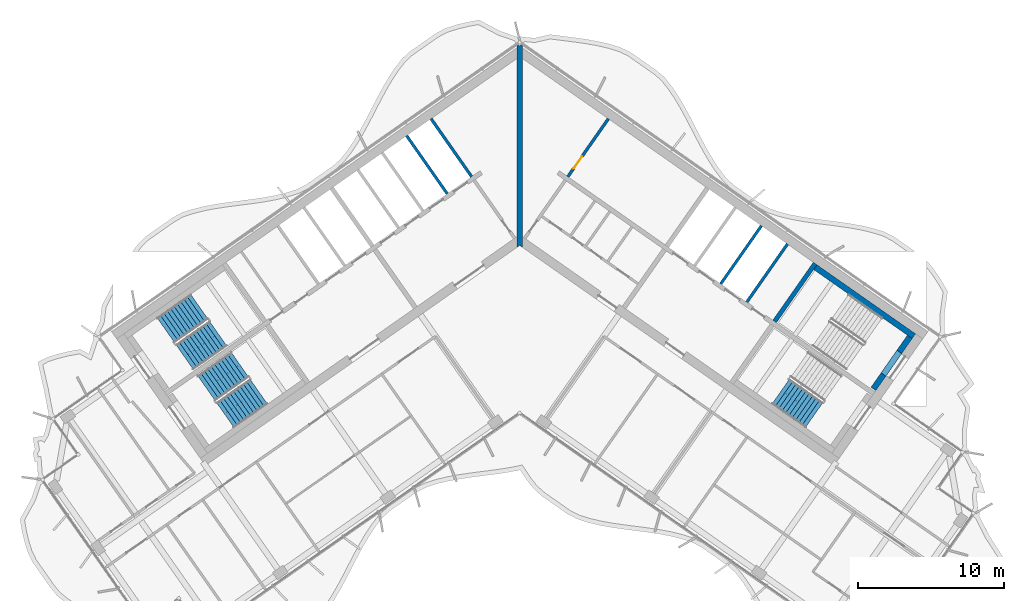
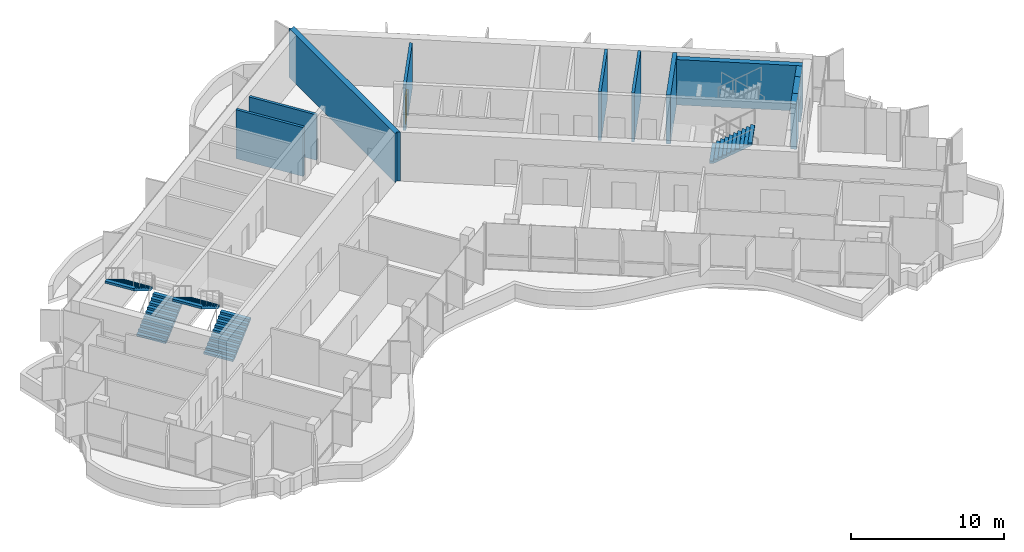
# One storey, part 12 of 18: 11 walls, 5 stair flights, 1 door, 1 opening, 3 elements without a shape of their own.
"""IFC4 building model written with IfcOpenShell, lengths in metres."""

from ifc_helpers import new_model, si_unit, direction, frame, frame_2d, origin, place, context, subcontext, project, spatial, polyline, rectangle, outline, extrude, material, layer, layer_set, type_object, element, fill, aggregate, save


model = new_model("IFC4")

# Units and contexts
model_context = context("Model", 3, precision=1e-05, world=origin(), true_north=direction((0.0, 1.0)))
body_context = subcontext(model_context, "Body", "Model", "MODEL_VIEW")
ifc_project = project(units=[si_unit("LENGTHUNIT", "METRE"), si_unit("AREAUNIT", "SQUARE_METRE"), si_unit("VOLUMEUNIT", "CUBIC_METRE"), si_unit("PLANEANGLEUNIT", "RADIAN"), si_unit("MASSUNIT", "GRAM", prefix="KILO")], contexts=[model_context])

# Site, building, storey
site_placement = place(None, origin())
site = spatial("IfcSite", under=ifc_project, at=site_placement, CompositionType="ELEMENT")
building_placement = place(site_placement, origin())
building = spatial("IfcBuilding", under=site, at=building_placement, Name="Tel Ilan Convention Tower", CompositionType="ELEMENT")
storey_placement = place(building_placement, frame((0.0, 0.0, 264.39990234375)))
storey = spatial("IfcBuildingStorey", under=building, at=storey_placement, Name="L62", CompositionType="ELEMENT", Elevation=264.39990234375)

# Wall
ifc_material_1 = material(Name="Concrete C30/37", Category="concrete")
ifc_layer_1 = layer(ifc_material_1, 0.199951171875)
ifc_layer_set_1 = layer_set([ifc_layer_1], Name="Core Service Room Wall 200 mm C30/37")
wall_type_1 = type_object("IfcWallType", Name="Core Service Room Wall 200 mm C30/37", PredefinedType="SOLIDWALL", material=ifc_layer_set_1)
wall_1_placement = place(storey_placement, frame((-3.2978515625, 3.489501953125, 0.0), z_axis=(0.0, 0.0, 1.0), x_axis=(-0.573560315113, 0.819163332265, 0.0)))
element("IfcWall", 1, at=wall_1_placement, inside=storey, type_object=wall_type_1, Name="L62 core wall apex-W-b", PredefinedType="SOLIDWALL", context=body_context, shape_type="SweptSolid", body=[
    extrude(rectangle(XDim=4.849853515625, YDim=0.199951171875, at=frame_2d((2.4248046875, 0.0))), origin(), (0.0, 0.0, 1.0), 3.6201171875),
])

# Wall, opening, door
wall_2_placement = place(storey_placement, frame((3.2978515625, 3.489501953125, 0.0), z_axis=(0.0, 0.0, 1.0), x_axis=(0.573560315113, 0.819163332265, 0.0)))
wall_2 = element("IfcWall", 2, at=wall_2_placement, inside=storey, type_object=wall_type_1, Name="L62 core wall apex-E-b", PredefinedType="SOLIDWALL", context=body_context, shape_type="SweptSolid", body=[
    extrude(rectangle(XDim=4.849853515625, YDim=0.199951171875, at=frame_2d((2.4248046875, 0.0))), origin(), (0.0, 0.0, 1.0), 3.6201171875),
])
opening_placement = place(wall_2_placement, frame((0.699951171875, 0.0, 0.0)))
opening = element("IfcOpeningElement", 3, at=opening_placement, cuts=wall_2, Name="Opening CD4703", PredefinedType="OPENING", context=body_context, shape_type="SweptSolid", body=[
    extrude(rectangle(XDim=1.0, YDim=2.10009765625, at=frame_2d((0.5, 1.050048828125))), frame((0.0, 0.10986328125, 0.0), z_axis=(0.0, -1.0, 0.0), x_axis=(1.0, 0.0, 0.0)), (0.0, 0.0, 1.0), 0.219970703125),
])
ifc_material_2 = material(Name="Galvanised Steel Door Leaf", Category="steel")
door_type = type_object("IfcDoorType", Name="Service Room Door 1000 x 2100 FD60", OperationType="NOTDEFINED", PredefinedType="DOOR", material=ifc_material_2)
door_placement = place(opening_placement, origin())
door = element("IfcDoor", 4, at=door_placement, inside=storey, type_object=door_type, Name="Plant Room door", OperationType="SINGLE_SWING_RIGHT", OverallHeight=2.10009765625, OverallWidth=1.0, PredefinedType="DOOR", context=body_context, shape_type="SweptSolid", body=[
    extrude(rectangle(XDim=1.0, YDim=2.10009765625, at=frame_2d((0.5, 1.050048828125))), frame((0.0, 0.02490234375, 0.0), z_axis=(0.0, -1.0, 0.0), x_axis=(1.0, 0.0, 0.0)), (0.0, 0.0, 1.0), 0.050048828125),
])
fill(opening, door)

# Walls
ifc_material_3 = material(Name="Concrete C40/50", Category="concrete")
ifc_layer_2 = layer(ifc_material_3, 0.300048828125)
ifc_layer_set_2 = layer_set([ifc_layer_2], Name="Core Shear Wall 300 mm C40/50")
wall_type_2 = type_object("IfcWallType", Name="Core Shear Wall 300 mm C40/50", PredefinedType="SHEAR", material=ifc_layer_set_2)
wall_3_placement = place(storey_placement, frame((17.46923828125, -6.433349609375, 0.0), z_axis=(0.0, 0.0, 1.0), x_axis=(0.573594092424, 0.81913968109, 0.0)))
element("IfcWall", 5, at=wall_3_placement, inside=storey, type_object=wall_type_2, Name="L62 core wall E-cross2-2", PredefinedType="SHEAR", context=body_context, shape_type="SweptSolid", body=[
    extrude(outline(polyline([(4.849853515625, -0.14990234375), (4.849853515625, 0.150146484375), (0.0, 0.14990234375), (0.0, -0.14990234375), (4.849853515625, -0.14990234375)])), origin(), (0.0, 0.0, 1.0), 3.900146484375),
])
ifc_material_4 = material(Name="Concrete C40/50", Category="concrete")
ifc_layer_3 = layer(ifc_material_4, 0.39990234375)
ifc_layer_set_3 = layer_set([ifc_layer_3], Name="Core Shear Wall 400 mm C40/50")
wall_type_3 = type_object("IfcWallType", Name="Core Shear Wall 400 mm C40/50", PredefinedType="SHEAR", material=ifc_layer_set_3)
wall_4_placement = place(storey_placement, frame((0.0, -1.36083984375, 0.0), z_axis=(0.0, 0.0, 1.0), x_axis=(0.0, 1.0, 0.0)))
element("IfcWall", 6, at=wall_4_placement, inside=storey, type_object=wall_type_3, Name="L62 core wall K-central", PredefinedType="SHEAR", context=body_context, shape_type="SweptSolid", body=[
    extrude(outline(polyline([(0.14013671875, 0.199951171875), (0.0, 0.199951171875), (0.14013671875, 0.0), (0.0, -0.199951171875), (0.14013671875, -0.199951171875), (1.012451171875, -0.199951171875), (12.940185546875, -0.199951171875), (13.812744140625, -0.199951171875), (13.893310546875, -0.199951171875), (13.933349609375, -0.172119140625), (13.812744140625, 0.0), (13.933349609375, 0.172119140625), (13.893310546875, 0.199951171875), (13.812744140625, 0.199951171875), (12.940185546875, 0.199951171875), (1.012451171875, 0.199951171875), (0.14013671875, 0.199951171875)])), origin(), (0.0, 0.0, 1.0), 3.900146484375),
])
ifc_material_5 = material(Name="Concrete C30/37", Category="concrete")
ifc_layer_4 = layer(ifc_material_5, 0.199951171875)
ifc_layer_set_4 = layer_set([ifc_layer_4], Name="Lift Shaft Wall 200 mm C30/37")
wall_type_4 = type_object("IfcWallType", Name="Lift Shaft Wall 200 mm C30/37", PredefinedType="SOLIDWALL", material=ifc_layer_set_4)
for number, where, z_axis, x_axis, name in (
    (7, (-4.966796875, 2.32080078125, 0.0), (0.0, 0.0, 1.0), (-0.573594092424, 0.81913968109, 0.0), "L62 core wall bank-W1-p0"),
    (8, (13.782958984375, -3.852294921875, 0.0), (0.0, 0.0, 1.0), (0.573594092424, 0.81913968109, 0.0), "L62 core wall bank-E2-p1"),
):
    element("IfcWall", number, at=place(storey_placement, frame(where, z_axis=z_axis, x_axis=x_axis)), inside=storey, type_object=wall_type_4, Name=name, PredefinedType="SOLIDWALL", context=body_context, shape_type="SweptSolid", body=[
        extrude(rectangle(XDim=4.85009765625, YDim=0.199951171875, at=frame_2d((2.425048828125, 0.0))), origin(), (0.0, 0.0, 1.0), 3.900146484375),
    ])
wall_5_placement = place(storey_placement, frame((15.564697265625, -5.099853515625, 0.0), z_axis=(0.0, 0.0, 1.0), x_axis=(0.573560315113, 0.819163332265, 0.0)))
element("IfcWall", 9, at=wall_5_placement, inside=storey, type_object=wall_type_4, Name="L62 core wall bank-E2-p2", PredefinedType="SOLIDWALL", context=body_context, shape_type="SweptSolid", body=[
    extrude(rectangle(XDim=4.849853515625, YDim=0.199951171875, at=frame_2d((2.4248046875, 0.0))), origin(), (0.0, 0.0, 1.0), 3.900146484375),
])
ifc_material_6 = material(Name="Concrete C30/37", Category="concrete")
ifc_layer_5 = layer(ifc_material_6, 0.39990234375)
ifc_layer_set_5 = layer_set([ifc_layer_5], Name="Stair and Shaft Lining Wall 400 mm C30/37")
wall_type_5 = type_object("IfcWallType", Name="Stair and Shaft Lining Wall 400 mm C30/37", PredefinedType="SOLIDWALL", material=ifc_layer_set_5)
wall_6_placement = place(storey_placement, frame((20.25927734375, -2.71044921875, 0.0), z_axis=(0.0, 0.0, 1.0), x_axis=(0.81914849389, -0.573581506813, 0.0)))
element("IfcWall", 10, at=wall_6_placement, inside=storey, type_object=wall_type_5, Name="L62 core wall lining-S3-t1", PredefinedType="SOLIDWALL", context=body_context, shape_type="SweptSolid", body=[
    extrude(rectangle(XDim=8.249755859375, YDim=0.39990234375, at=frame_2d((4.125, 0.0))), origin(), (0.0, 0.0, 1.0), 3.6201171875),
])
wall_7_placement = place(storey_placement, frame((24.24365234375, -11.0546875, 0.0), z_axis=(0.0, 0.0, 1.0), x_axis=(0.573571582932, 0.819155442668, 0.0)))
element("IfcWall", 11, at=wall_7_placement, inside=storey, type_object=wall_type_5, Name="L62 core wall lining-S3-u1-0", PredefinedType="SOLIDWALL", context=body_context, shape_type="SweptSolid", body=[
    extrude(rectangle(XDim=1.199951171875, YDim=0.39990234375, at=frame_2d((0.60009765625, 0.0))), origin(), (0.0, 0.0, 1.0), 3.6201171875),
])
wall_8_placement = place(storey_placement, frame((26.021728515625, -8.515380859375, 0.0), z_axis=(0.0, 0.0, 1.0), x_axis=(0.573619628835, 0.819121798889, 0.0)))
element("IfcWall", 12, at=wall_8_placement, inside=storey, type_object=wall_type_5, Name="L62 core wall lining-S3-u1-1", PredefinedType="SOLIDWALL", context=body_context, shape_type="SweptSolid", body=[
    extrude(rectangle(XDim=1.25, YDim=0.39990234375, at=frame_2d((0.625, 0.0))), origin(), (0.0, 0.0, 1.0), 3.6201171875),
])
wall_9_placement = place(storey_placement, frame((24.931884765625, -10.07177734375, 2.150146484375), z_axis=(0.0, 0.0, 1.0), x_axis=(0.573591692345, 0.819141361715, 0.0)))
element("IfcWall", 13, at=wall_9_placement, inside=storey, type_object=wall_type_5, Name="L62 core wall lining-S3-u1-lintel", PredefinedType="SOLIDWALL", context=body_context, shape_type="SweptSolid", body=[
    extrude(rectangle(XDim=1.900146484375, YDim=0.39990234375, at=frame_2d((0.9501953125, 0.0))), origin(), (0.0, 0.0, 1.0), 1.469970703125),
])

# Stair, stair flights
ifc_material_7 = material(Name="Concrete C40/50", Category="concrete")
stair_type = type_object("IfcStairType", Name="Pressurised Exit Stair 22 risers 177 mm", PredefinedType="HALF_TURN_STAIR", material=ifc_material_7)
stair_1_placement = place(storey_placement, origin())
stair_1 = element("IfcStair", 14, at=stair_1_placement, inside=storey, type_object=stair_type, Name="L62 Pressurised Stair S1", PredefinedType="HALF_TURN_STAIR")
ifc_material_8 = material(Name="Precast Concrete C40/50", Category="concrete")
stair_flight_type = type_object("IfcStairFlightType", Name="Concrete Stair Flight 2100 mm 22 risers 177 mm", PredefinedType="STRAIGHT", material=ifc_material_8)
stair_flight_1_placement = place(storey_placement, frame((-22.9619140625, -8.87548828125, 0.0), z_axis=(0.0, 0.0, 1.0), x_axis=(0.819152044289, 0.573576436351, 0.0)))
stair_flight_1 = element("IfcStairFlight", 15, at=stair_flight_1_placement, type_object=stair_flight_type, Name="S1 flight 1", NumberOfRisers=11, NumberOfTreads=10, PredefinedType="STRAIGHT", RiserHeight=0.177272727, TreadLength=0.28, context=body_context, shape_type="SweptSolid", body=[
    extrude(outline(polyline([(0.0, 0.0), (0.0, 0.17724609375), (0.280029296875, 0.17724609375), (0.280029296875, 0.3544921875), (0.56005859375, 0.3544921875), (0.56005859375, 0.53173828125), (0.840087890625, 0.53173828125), (0.840087890625, 0.708984375), (1.1201171875, 0.708984375), (1.1201171875, 0.886474609375), (1.39990234375, 0.886474609375), (1.39990234375, 1.063720703125), (1.679931640625, 1.063720703125), (1.679931640625, 1.240966796875), (1.9599609375, 1.240966796875), (1.9599609375, 1.418212890625), (2.239990234375, 1.418212890625), (2.239990234375, 1.595458984375), (2.52001953125, 1.595458984375), (2.52001953125, 1.772705078125), (2.800048828125, 1.772705078125), (2.800048828125, 1.949951171875), (2.800048828125, 1.59521484375), (0.2802734375, 0.0), (0.0, 0.0)])), frame((0.0, -0.100341796875, 0.0), z_axis=(0.0, -1.0, 0.0), x_axis=(1.0, 0.0, 0.0)), (0.0, 0.0, 1.0), 0.94970703125),
    extrude(outline(polyline([(0.0, 0.0), (0.0, 0.17724609375), (0.280029296875, 0.17724609375), (0.280029296875, 0.3544921875), (0.56005859375, 0.3544921875), (0.56005859375, 0.53173828125), (0.840087890625, 0.53173828125), (0.840087890625, 0.708984375), (1.1201171875, 0.708984375), (1.1201171875, 0.886474609375), (1.39990234375, 0.886474609375), (1.39990234375, 1.063720703125), (1.679931640625, 1.063720703125), (1.679931640625, 1.240966796875), (1.9599609375, 1.240966796875), (1.9599609375, 1.418212890625), (2.239990234375, 1.418212890625), (2.239990234375, 1.595458984375), (2.52001953125, 1.595458984375), (2.52001953125, 1.772705078125), (2.800048828125, 1.772705078125), (2.800048828125, 1.949951171875), (2.800048828125, 1.59521484375), (0.2802734375, 0.0), (0.0, 0.0)])), frame((0.0, -0.000244140625, 0.0), z_axis=(0.0, -1.0, 0.0), x_axis=(1.0, 0.0, 0.0)), (0.0, 0.0, 1.0), 0.099609375),
    extrude(outline(polyline([(0.0, 0.0), (0.0, 0.17724609375), (0.280029296875, 0.17724609375), (0.280029296875, 0.3544921875), (0.56005859375, 0.3544921875), (0.56005859375, 0.53173828125), (0.840087890625, 0.53173828125), (0.840087890625, 0.708984375), (1.1201171875, 0.708984375), (1.1201171875, 0.886474609375), (1.39990234375, 0.886474609375), (1.39990234375, 1.063720703125), (1.679931640625, 1.063720703125), (1.679931640625, 1.240966796875), (1.9599609375, 1.240966796875), (1.9599609375, 1.418212890625), (2.239990234375, 1.418212890625), (2.239990234375, 1.595458984375), (2.52001953125, 1.595458984375), (2.52001953125, 1.772705078125), (2.800048828125, 1.772705078125), (2.800048828125, 1.949951171875), (2.800048828125, 1.59521484375), (0.2802734375, 0.0), (0.0, 0.0)])), frame((0.0, 0.099853515625, 0.0), z_axis=(0.0, -1.0, 0.0), x_axis=(1.0, 0.0, 0.0)), (0.0, 0.0, 1.0), 0.099609375),
    extrude(outline(polyline([(0.0, 0.0), (0.0, 0.17724609375), (0.280029296875, 0.17724609375), (0.280029296875, 0.3544921875), (0.56005859375, 0.3544921875), (0.56005859375, 0.53173828125), (0.840087890625, 0.53173828125), (0.840087890625, 0.708984375), (1.1201171875, 0.708984375), (1.1201171875, 0.886474609375), (1.39990234375, 0.886474609375), (1.39990234375, 1.063720703125), (1.679931640625, 1.063720703125), (1.679931640625, 1.240966796875), (1.9599609375, 1.240966796875), (1.9599609375, 1.418212890625), (2.239990234375, 1.418212890625), (2.239990234375, 1.595458984375), (2.52001953125, 1.595458984375), (2.52001953125, 1.772705078125), (2.800048828125, 1.772705078125), (2.800048828125, 1.949951171875), (2.800048828125, 1.59521484375), (0.2802734375, 0.0), (0.0, 0.0)])), frame((0.0, 1.050048828125, 0.0), z_axis=(0.0, -1.0, 0.0), x_axis=(1.0, 0.0, 0.0)), (0.0, 0.0, 1.0), 0.94970703125),
])
stair_flight_2_placement = place(storey_placement, frame((-21.958740234375, -5.42626953125, 1.9501953125), z_axis=(0.0, 0.0, 1.0), x_axis=(-0.819152044289, -0.573576436351, 0.0)))
stair_flight_2 = element("IfcStairFlight", 16, at=stair_flight_2_placement, type_object=stair_flight_type, Name="S1 flight 2", NumberOfRisers=11, NumberOfTreads=10, PredefinedType="STRAIGHT", RiserHeight=0.177272727, TreadLength=0.28, context=body_context, shape_type="SweptSolid", body=[
    extrude(outline(polyline([(0.0, 0.0), (0.0, 0.17724609375), (0.280029296875, 0.17724609375), (0.280029296875, 0.3544921875), (0.56005859375, 0.3544921875), (0.56005859375, 0.53173828125), (0.840087890625, 0.53173828125), (0.840087890625, 0.708984375), (1.1201171875, 0.708984375), (1.1201171875, 0.886474609375), (1.39990234375, 0.886474609375), (1.39990234375, 1.063720703125), (1.679931640625, 1.063720703125), (1.679931640625, 1.240966796875), (1.9599609375, 1.240966796875), (1.9599609375, 1.418212890625), (2.239990234375, 1.418212890625), (2.239990234375, 1.595458984375), (2.52001953125, 1.595458984375), (2.52001953125, 1.772705078125), (2.800048828125, 1.772705078125), (2.800048828125, 1.949951171875), (2.800048828125, 1.59521484375), (0.2802734375, 0.0), (0.0, 0.0)])), frame((0.0, -0.100341796875, 0.0), z_axis=(0.0, -1.0, 0.0), x_axis=(1.0, 0.0, 0.0)), (0.0, 0.0, 1.0), 0.94970703125),
    extrude(outline(polyline([(0.0, 0.0), (0.0, 0.17724609375), (0.280029296875, 0.17724609375), (0.280029296875, 0.3544921875), (0.56005859375, 0.3544921875), (0.56005859375, 0.53173828125), (0.840087890625, 0.53173828125), (0.840087890625, 0.708984375), (1.1201171875, 0.708984375), (1.1201171875, 0.886474609375), (1.39990234375, 0.886474609375), (1.39990234375, 1.063720703125), (1.679931640625, 1.063720703125), (1.679931640625, 1.240966796875), (1.9599609375, 1.240966796875), (1.9599609375, 1.418212890625), (2.239990234375, 1.418212890625), (2.239990234375, 1.595458984375), (2.52001953125, 1.595458984375), (2.52001953125, 1.772705078125), (2.800048828125, 1.772705078125), (2.800048828125, 1.949951171875), (2.800048828125, 1.59521484375), (0.2802734375, 0.0), (0.0, 0.0)])), frame((0.0, -0.000244140625, 0.0), z_axis=(0.0, -1.0, 0.0), x_axis=(1.0, 0.0, 0.0)), (0.0, 0.0, 1.0), 0.099609375),
    extrude(outline(polyline([(0.0, 0.0), (0.0, 0.17724609375), (0.280029296875, 0.17724609375), (0.280029296875, 0.3544921875), (0.56005859375, 0.3544921875), (0.56005859375, 0.53173828125), (0.840087890625, 0.53173828125), (0.840087890625, 0.708984375), (1.1201171875, 0.708984375), (1.1201171875, 0.886474609375), (1.39990234375, 0.886474609375), (1.39990234375, 1.063720703125), (1.679931640625, 1.063720703125), (1.679931640625, 1.240966796875), (1.9599609375, 1.240966796875), (1.9599609375, 1.418212890625), (2.239990234375, 1.418212890625), (2.239990234375, 1.595458984375), (2.52001953125, 1.595458984375), (2.52001953125, 1.772705078125), (2.800048828125, 1.772705078125), (2.800048828125, 1.949951171875), (2.800048828125, 1.59521484375), (0.2802734375, 0.0), (0.0, 0.0)])), frame((0.0, 0.099853515625, 0.0), z_axis=(0.0, -1.0, 0.0), x_axis=(1.0, 0.0, 0.0)), (0.0, 0.0, 1.0), 0.099609375),
    extrude(outline(polyline([(0.0, 0.0), (0.0, 0.17724609375), (0.280029296875, 0.17724609375), (0.280029296875, 0.3544921875), (0.56005859375, 0.3544921875), (0.56005859375, 0.53173828125), (0.840087890625, 0.53173828125), (0.840087890625, 0.708984375), (1.1201171875, 0.708984375), (1.1201171875, 0.886474609375), (1.39990234375, 0.886474609375), (1.39990234375, 1.063720703125), (1.679931640625, 1.063720703125), (1.679931640625, 1.240966796875), (1.9599609375, 1.240966796875), (1.9599609375, 1.418212890625), (2.239990234375, 1.418212890625), (2.239990234375, 1.595458984375), (2.52001953125, 1.595458984375), (2.52001953125, 1.772705078125), (2.800048828125, 1.772705078125), (2.800048828125, 1.949951171875), (2.800048828125, 1.59521484375), (0.2802734375, 0.0), (0.0, 0.0)])), frame((0.0, 1.050048828125, 0.0), z_axis=(0.0, -1.0, 0.0), x_axis=(1.0, 0.0, 0.0)), (0.0, 0.0, 1.0), 0.94970703125),
])
aggregate(stair_1, [stair_flight_1, stair_flight_2])

stair_2_placement = place(storey_placement, origin())
stair_2 = element("IfcStair", 17, at=stair_2_placement, inside=storey, type_object=stair_type, Name="L62 Pressurised Stair S2", PredefinedType="HALF_TURN_STAIR")
stair_flight_3_placement = place(storey_placement, frame((-20.179931640625, -12.848388671875, 0.0), z_axis=(0.0, 0.0, 1.0), x_axis=(0.819152044289, 0.573576436351, 0.0)))
stair_flight_3 = element("IfcStairFlight", 18, at=stair_flight_3_placement, type_object=stair_flight_type, Name="S2 flight 1", NumberOfRisers=11, NumberOfTreads=10, PredefinedType="STRAIGHT", RiserHeight=0.177272727, TreadLength=0.28, context=body_context, shape_type="SweptSolid", body=[
    extrude(outline(polyline([(0.0, 0.0), (0.0, 0.17724609375), (0.280029296875, 0.17724609375), (0.280029296875, 0.3544921875), (0.56005859375, 0.3544921875), (0.56005859375, 0.53173828125), (0.840087890625, 0.53173828125), (0.840087890625, 0.708984375), (1.1201171875, 0.708984375), (1.1201171875, 0.886474609375), (1.39990234375, 0.886474609375), (1.39990234375, 1.063720703125), (1.679931640625, 1.063720703125), (1.679931640625, 1.240966796875), (1.9599609375, 1.240966796875), (1.9599609375, 1.418212890625), (2.239990234375, 1.418212890625), (2.239990234375, 1.595458984375), (2.52001953125, 1.595458984375), (2.52001953125, 1.772705078125), (2.800048828125, 1.772705078125), (2.800048828125, 1.949951171875), (2.800048828125, 1.59521484375), (0.2802734375, 0.0), (0.0, 0.0)])), frame((0.0, -0.100341796875, 0.0), z_axis=(0.0, -1.0, 0.0), x_axis=(1.0, 0.0, 0.0)), (0.0, 0.0, 1.0), 0.94970703125),
    extrude(outline(polyline([(0.0, 0.0), (0.0, 0.17724609375), (0.280029296875, 0.17724609375), (0.280029296875, 0.3544921875), (0.56005859375, 0.3544921875), (0.56005859375, 0.53173828125), (0.840087890625, 0.53173828125), (0.840087890625, 0.708984375), (1.1201171875, 0.708984375), (1.1201171875, 0.886474609375), (1.39990234375, 0.886474609375), (1.39990234375, 1.063720703125), (1.679931640625, 1.063720703125), (1.679931640625, 1.240966796875), (1.9599609375, 1.240966796875), (1.9599609375, 1.418212890625), (2.239990234375, 1.418212890625), (2.239990234375, 1.595458984375), (2.52001953125, 1.595458984375), (2.52001953125, 1.772705078125), (2.800048828125, 1.772705078125), (2.800048828125, 1.949951171875), (2.800048828125, 1.59521484375), (0.2802734375, 0.0), (0.0, 0.0)])), frame((0.0, -0.000244140625, 0.0), z_axis=(0.0, -1.0, 0.0), x_axis=(1.0, 0.0, 0.0)), (0.0, 0.0, 1.0), 0.099609375),
    extrude(outline(polyline([(0.0, 0.0), (0.0, 0.17724609375), (0.280029296875, 0.17724609375), (0.280029296875, 0.3544921875), (0.56005859375, 0.3544921875), (0.56005859375, 0.53173828125), (0.840087890625, 0.53173828125), (0.840087890625, 0.708984375), (1.1201171875, 0.708984375), (1.1201171875, 0.886474609375), (1.39990234375, 0.886474609375), (1.39990234375, 1.063720703125), (1.679931640625, 1.063720703125), (1.679931640625, 1.240966796875), (1.9599609375, 1.240966796875), (1.9599609375, 1.418212890625), (2.239990234375, 1.418212890625), (2.239990234375, 1.595458984375), (2.52001953125, 1.595458984375), (2.52001953125, 1.772705078125), (2.800048828125, 1.772705078125), (2.800048828125, 1.949951171875), (2.800048828125, 1.59521484375), (0.2802734375, 0.0), (0.0, 0.0)])), frame((0.0, 0.099853515625, 0.0), z_axis=(0.0, -1.0, 0.0), x_axis=(1.0, 0.0, 0.0)), (0.0, 0.0, 1.0), 0.099609375),
    extrude(outline(polyline([(0.0, 0.0), (0.0, 0.17724609375), (0.280029296875, 0.17724609375), (0.280029296875, 0.3544921875), (0.56005859375, 0.3544921875), (0.56005859375, 0.53173828125), (0.840087890625, 0.53173828125), (0.840087890625, 0.708984375), (1.1201171875, 0.708984375), (1.1201171875, 0.886474609375), (1.39990234375, 0.886474609375), (1.39990234375, 1.063720703125), (1.679931640625, 1.063720703125), (1.679931640625, 1.240966796875), (1.9599609375, 1.240966796875), (1.9599609375, 1.418212890625), (2.239990234375, 1.418212890625), (2.239990234375, 1.595458984375), (2.52001953125, 1.595458984375), (2.52001953125, 1.772705078125), (2.800048828125, 1.772705078125), (2.800048828125, 1.949951171875), (2.800048828125, 1.59521484375), (0.2802734375, 0.0), (0.0, 0.0)])), frame((0.0, 1.050048828125, 0.0), z_axis=(0.0, -1.0, 0.0), x_axis=(1.0, 0.0, 0.0)), (0.0, 0.0, 1.0), 0.94970703125),
])
stair_flight_4_placement = place(storey_placement, frame((-19.177001953125, -9.399169921875, 1.9501953125), z_axis=(0.0, 0.0, 1.0), x_axis=(-0.819152044289, -0.573576436351, 0.0)))
stair_flight_4 = element("IfcStairFlight", 19, at=stair_flight_4_placement, type_object=stair_flight_type, Name="S2 flight 2", NumberOfRisers=11, NumberOfTreads=10, PredefinedType="STRAIGHT", RiserHeight=0.177272727, TreadLength=0.28, context=body_context, shape_type="SweptSolid", body=[
    extrude(outline(polyline([(0.0, 0.0), (0.0, 0.17724609375), (0.280029296875, 0.17724609375), (0.280029296875, 0.3544921875), (0.56005859375, 0.3544921875), (0.56005859375, 0.53173828125), (0.840087890625, 0.53173828125), (0.840087890625, 0.708984375), (1.1201171875, 0.708984375), (1.1201171875, 0.886474609375), (1.39990234375, 0.886474609375), (1.39990234375, 1.063720703125), (1.679931640625, 1.063720703125), (1.679931640625, 1.240966796875), (1.9599609375, 1.240966796875), (1.9599609375, 1.418212890625), (2.239990234375, 1.418212890625), (2.239990234375, 1.595458984375), (2.52001953125, 1.595458984375), (2.52001953125, 1.772705078125), (2.800048828125, 1.772705078125), (2.800048828125, 1.949951171875), (2.800048828125, 1.59521484375), (0.2802734375, 0.0), (0.0, 0.0)])), frame((0.0, -0.100341796875, 0.0), z_axis=(0.0, -1.0, 0.0), x_axis=(1.0, 0.0, 0.0)), (0.0, 0.0, 1.0), 0.94970703125),
    extrude(outline(polyline([(0.0, 0.0), (0.0, 0.17724609375), (0.280029296875, 0.17724609375), (0.280029296875, 0.3544921875), (0.56005859375, 0.3544921875), (0.56005859375, 0.53173828125), (0.840087890625, 0.53173828125), (0.840087890625, 0.708984375), (1.1201171875, 0.708984375), (1.1201171875, 0.886474609375), (1.39990234375, 0.886474609375), (1.39990234375, 1.063720703125), (1.679931640625, 1.063720703125), (1.679931640625, 1.240966796875), (1.9599609375, 1.240966796875), (1.9599609375, 1.418212890625), (2.239990234375, 1.418212890625), (2.239990234375, 1.595458984375), (2.52001953125, 1.595458984375), (2.52001953125, 1.772705078125), (2.800048828125, 1.772705078125), (2.800048828125, 1.949951171875), (2.800048828125, 1.59521484375), (0.2802734375, 0.0), (0.0, 0.0)])), frame((0.0, -0.000244140625, 0.0), z_axis=(0.0, -1.0, 0.0), x_axis=(1.0, 0.0, 0.0)), (0.0, 0.0, 1.0), 0.099609375),
    extrude(outline(polyline([(0.0, 0.0), (0.0, 0.17724609375), (0.280029296875, 0.17724609375), (0.280029296875, 0.3544921875), (0.56005859375, 0.3544921875), (0.56005859375, 0.53173828125), (0.840087890625, 0.53173828125), (0.840087890625, 0.708984375), (1.1201171875, 0.708984375), (1.1201171875, 0.886474609375), (1.39990234375, 0.886474609375), (1.39990234375, 1.063720703125), (1.679931640625, 1.063720703125), (1.679931640625, 1.240966796875), (1.9599609375, 1.240966796875), (1.9599609375, 1.418212890625), (2.239990234375, 1.418212890625), (2.239990234375, 1.595458984375), (2.52001953125, 1.595458984375), (2.52001953125, 1.772705078125), (2.800048828125, 1.772705078125), (2.800048828125, 1.949951171875), (2.800048828125, 1.59521484375), (0.2802734375, 0.0), (0.0, 0.0)])), frame((0.0, 0.099853515625, 0.0), z_axis=(0.0, -1.0, 0.0), x_axis=(1.0, 0.0, 0.0)), (0.0, 0.0, 1.0), 0.099609375),
    extrude(outline(polyline([(0.0, 0.0), (0.0, 0.17724609375), (0.280029296875, 0.17724609375), (0.280029296875, 0.3544921875), (0.56005859375, 0.3544921875), (0.56005859375, 0.53173828125), (0.840087890625, 0.53173828125), (0.840087890625, 0.708984375), (1.1201171875, 0.708984375), (1.1201171875, 0.886474609375), (1.39990234375, 0.886474609375), (1.39990234375, 1.063720703125), (1.679931640625, 1.063720703125), (1.679931640625, 1.240966796875), (1.9599609375, 1.240966796875), (1.9599609375, 1.418212890625), (2.239990234375, 1.418212890625), (2.239990234375, 1.595458984375), (2.52001953125, 1.595458984375), (2.52001953125, 1.772705078125), (2.800048828125, 1.772705078125), (2.800048828125, 1.949951171875), (2.800048828125, 1.59521484375), (0.2802734375, 0.0), (0.0, 0.0)])), frame((0.0, 1.050048828125, 0.0), z_axis=(0.0, -1.0, 0.0), x_axis=(1.0, 0.0, 0.0)), (0.0, 0.0, 1.0), 0.94970703125),
])
aggregate(stair_2, [stair_flight_3, stair_flight_4])

# Stair, stair flight
stair_3_placement = place(storey_placement, origin())
stair_3 = element("IfcStair", 20, at=stair_3_placement, inside=storey, type_object=stair_type, Name="L62 Pressurised Stair S4", PredefinedType="HALF_TURN_STAIR")
stair_flight_5_placement = place(storey_placement, frame((17.886474609375, -11.242431640625, 1.9501953125), z_axis=(0.0, 0.0, 1.0), x_axis=(0.819152044289, -0.573576436351, 0.0)))
stair_flight_5 = element("IfcStairFlight", 21, at=stair_flight_5_placement, type_object=stair_flight_type, Name="S4 flight 2", NumberOfRisers=11, NumberOfTreads=10, PredefinedType="STRAIGHT", RiserHeight=0.177272727, TreadLength=0.28, context=body_context, shape_type="SweptSolid", body=[
    extrude(outline(polyline([(0.0, 0.0), (0.0, 0.17724609375), (0.280029296875, 0.17724609375), (0.280029296875, 0.3544921875), (0.56005859375, 0.3544921875), (0.56005859375, 0.53173828125), (0.840087890625, 0.53173828125), (0.840087890625, 0.708984375), (1.1201171875, 0.708984375), (1.1201171875, 0.886474609375), (1.39990234375, 0.886474609375), (1.39990234375, 1.063720703125), (1.679931640625, 1.063720703125), (1.679931640625, 1.240966796875), (1.9599609375, 1.240966796875), (1.9599609375, 1.418212890625), (2.239990234375, 1.418212890625), (2.239990234375, 1.595458984375), (2.52001953125, 1.595458984375), (2.52001953125, 1.772705078125), (2.800048828125, 1.772705078125), (2.800048828125, 1.949951171875), (2.800048828125, 1.59521484375), (0.2802734375, 0.0), (0.0, 0.0)])), frame((0.0, -0.100341796875, 0.0), z_axis=(0.0, -1.0, 0.0), x_axis=(1.0, 0.0, 0.0)), (0.0, 0.0, 1.0), 0.94970703125),
    extrude(outline(polyline([(0.0, 0.0), (0.0, 0.17724609375), (0.280029296875, 0.17724609375), (0.280029296875, 0.3544921875), (0.56005859375, 0.3544921875), (0.56005859375, 0.53173828125), (0.840087890625, 0.53173828125), (0.840087890625, 0.708984375), (1.1201171875, 0.708984375), (1.1201171875, 0.886474609375), (1.39990234375, 0.886474609375), (1.39990234375, 1.063720703125), (1.679931640625, 1.063720703125), (1.679931640625, 1.240966796875), (1.9599609375, 1.240966796875), (1.9599609375, 1.418212890625), (2.239990234375, 1.418212890625), (2.239990234375, 1.595458984375), (2.52001953125, 1.595458984375), (2.52001953125, 1.772705078125), (2.800048828125, 1.772705078125), (2.800048828125, 1.949951171875), (2.800048828125, 1.59521484375), (0.2802734375, 0.0), (0.0, 0.0)])), frame((0.0, -0.000244140625, 0.0), z_axis=(0.0, -1.0, 0.0), x_axis=(1.0, 0.0, 0.0)), (0.0, 0.0, 1.0), 0.099609375),
    extrude(outline(polyline([(0.0, 0.0), (0.0, 0.17724609375), (0.280029296875, 0.17724609375), (0.280029296875, 0.3544921875), (0.56005859375, 0.3544921875), (0.56005859375, 0.53173828125), (0.840087890625, 0.53173828125), (0.840087890625, 0.708984375), (1.1201171875, 0.708984375), (1.1201171875, 0.886474609375), (1.39990234375, 0.886474609375), (1.39990234375, 1.063720703125), (1.679931640625, 1.063720703125), (1.679931640625, 1.240966796875), (1.9599609375, 1.240966796875), (1.9599609375, 1.418212890625), (2.239990234375, 1.418212890625), (2.239990234375, 1.595458984375), (2.52001953125, 1.595458984375), (2.52001953125, 1.772705078125), (2.800048828125, 1.772705078125), (2.800048828125, 1.949951171875), (2.800048828125, 1.59521484375), (0.2802734375, 0.0), (0.0, 0.0)])), frame((0.0, 0.099853515625, 0.0), z_axis=(0.0, -1.0, 0.0), x_axis=(1.0, 0.0, 0.0)), (0.0, 0.0, 1.0), 0.099609375),
    extrude(outline(polyline([(0.0, 0.0), (0.0, 0.17724609375), (0.280029296875, 0.17724609375), (0.280029296875, 0.3544921875), (0.56005859375, 0.3544921875), (0.56005859375, 0.53173828125), (0.840087890625, 0.53173828125), (0.840087890625, 0.708984375), (1.1201171875, 0.708984375), (1.1201171875, 0.886474609375), (1.39990234375, 0.886474609375), (1.39990234375, 1.063720703125), (1.679931640625, 1.063720703125), (1.679931640625, 1.240966796875), (1.9599609375, 1.240966796875), (1.9599609375, 1.418212890625), (2.239990234375, 1.418212890625), (2.239990234375, 1.595458984375), (2.52001953125, 1.595458984375), (2.52001953125, 1.772705078125), (2.800048828125, 1.772705078125), (2.800048828125, 1.949951171875), (2.800048828125, 1.59521484375), (0.2802734375, 0.0), (0.0, 0.0)])), frame((0.0, 1.050048828125, 0.0), z_axis=(0.0, -1.0, 0.0), x_axis=(1.0, 0.0, 0.0)), (0.0, 0.0, 1.0), 0.94970703125),
])
aggregate(stair_3, [stair_flight_5])

save(model, "model.ifc")
